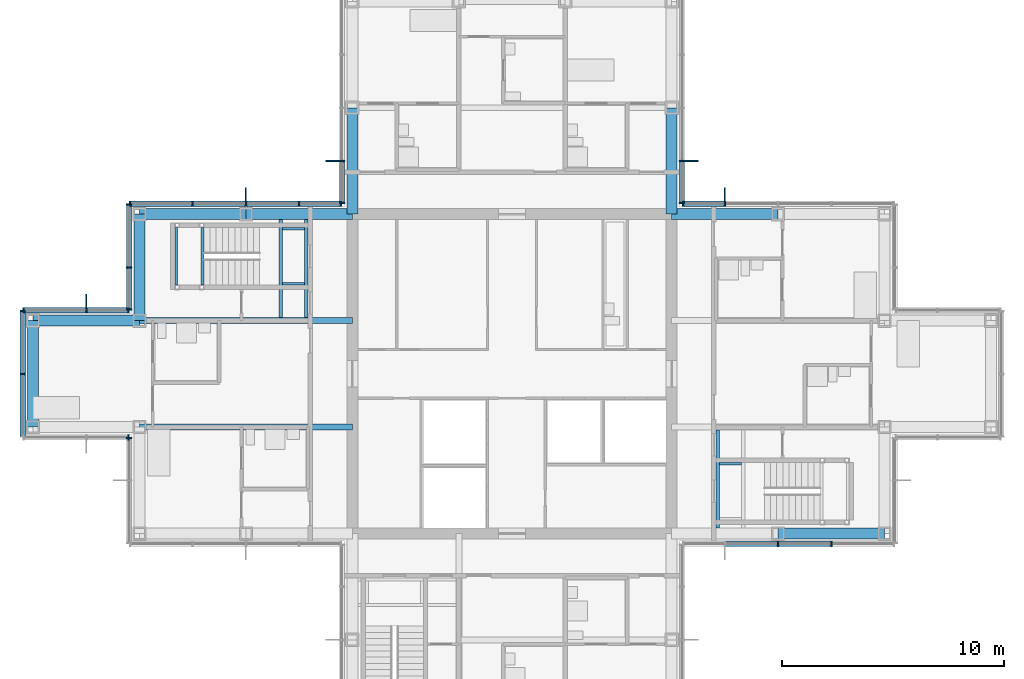
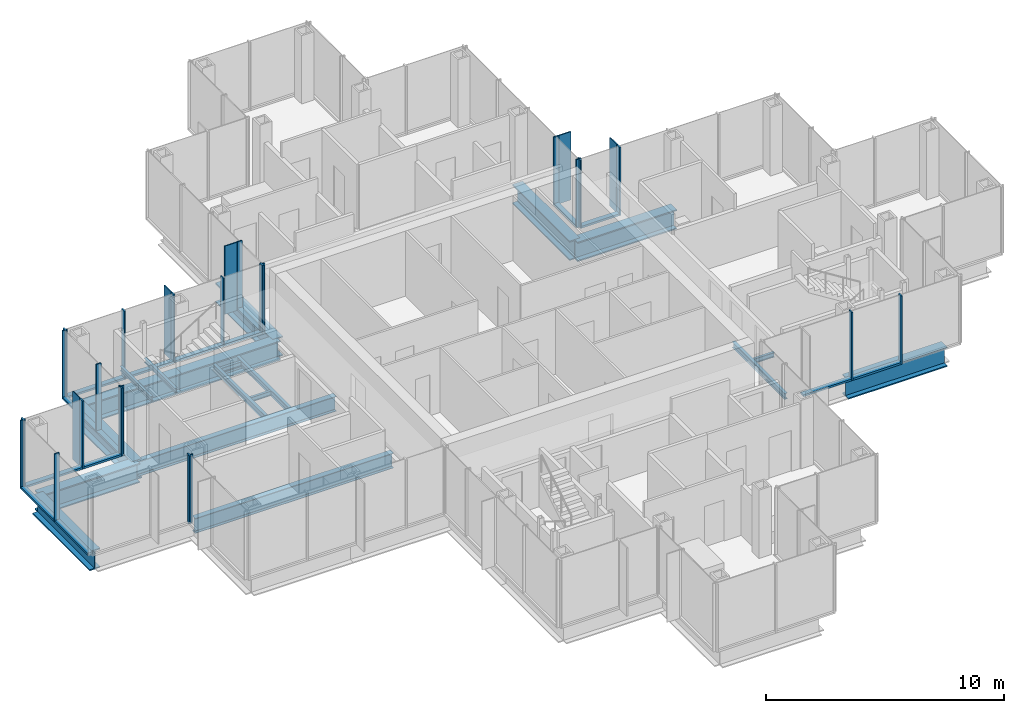
# One storey, part 7 of 17: 43 members, 19 beams, 10 elements without a shape of their own.
"""IFC4 building model written with IfcOpenShell, lengths in metres."""

from ifc_helpers import new_model, si_unit, direction, frame, origin, origin_2d, place, context, subcontext, project, spatial, rectangle, i_section, extrude, material, material_profile, profile_set, type_object, element, aggregate, save


model = new_model("IFC4")

# Units and contexts
model_context = context("Model", 3, precision=1e-05, world=origin(), true_north=direction((0.0, 1.0)))
body_context = subcontext(model_context, "Body", "Model", "MODEL_VIEW")
ifc_project = project(units=[si_unit("LENGTHUNIT", "METRE"), si_unit("AREAUNIT", "SQUARE_METRE"), si_unit("VOLUMEUNIT", "CUBIC_METRE"), si_unit("PLANEANGLEUNIT", "RADIAN"), si_unit("MASSUNIT", "GRAM", prefix="KILO")], contexts=[model_context])

# Site, building, storey
site_placement = place(None, origin())
site = spatial("IfcSite", under=ifc_project, at=site_placement, CompositionType="ELEMENT")
building_placement = place(site_placement, origin())
building = spatial("IfcBuilding", under=site, at=building_placement, Name="Kvirike Care Tower", CompositionType="ELEMENT")
storey_placement = place(building_placement, frame((0.0, 0.0, 183.0)))
storey = spatial("IfcBuildingStorey", under=building, at=storey_placement, Name="L50", CompositionType="ELEMENT", Elevation=183.0)

# Curtain wall, member
ifc_material_1 = material(Name="Anodised aluminium stick system", Category="aluminium")
curtain_wall_type = type_object("IfcCurtainWallType", Name="CW-C STICK CURTAIN WALL", PredefinedType="NOTDEFINED", material=ifc_material_1)
curtain_wall_1_placement = place(storey_placement, origin())
curtain_wall_1 = element("IfcCurtainWall", 1, at=curtain_wall_1_placement, inside=storey, type_object=curtain_wall_type, Name="Curtain wall L50 face 7", PredefinedType="NOTDEFINED")
ifc_material_2 = material(Name="Bronze anodised aluminium fin", Category="aluminium")
ifc_material_profile_1 = material_profile(ifc_material_2, rectangle(XDim=0.050048828125, YDim=0.60009765625, at=origin_2d()), Name="BRONZE FIN 600")
ifc_profile_set_1 = profile_set([ifc_material_profile_1], Name="Bronze anodised aluminium fin")
member_type_1 = type_object("IfcMemberType", Name="BRONZE FIN 600", PredefinedType="USERDEFINED", material=ifc_profile_set_1)
member_1_placement = place(storey_placement, frame((31.199951171875, 44.090087890625, 0.0), z_axis=(0.0, 0.0, 1.0), x_axis=(-1.0, 0.0, 0.0)))
member_1 = element("IfcMember", 2, at=member_1_placement, type_object=member_type_1, Name="Bronze fin L50 face 7.4", ObjectType="FIN", PredefinedType="USERDEFINED", context=body_context, shape_type="SweptSolid", body=[
    extrude(rectangle(XDim=0.050048828125, YDim=0.60009765625, at=origin_2d()), origin(), (0.0, 0.0, 1.0), 3.5),
])

curtain_wall_2_placement = place(storey_placement, origin())
curtain_wall_2 = element("IfcCurtainWall", 3, at=curtain_wall_2_placement, inside=storey, type_object=curtain_wall_type, Name="Curtain wall L50 face 8", PredefinedType="NOTDEFINED")
member_2_placement = place(storey_placement, frame((29.68994140625, 45.60009765625, 0.0), z_axis=(0.0, 0.0, 1.0), x_axis=(0.0, 1.0, 0.0)))
member_2 = element("IfcMember", 4, at=member_2_placement, type_object=member_type_1, Name="Bronze fin L50 face 8.2", ObjectType="FIN", PredefinedType="USERDEFINED", context=body_context, shape_type="SweptSolid", body=[
    extrude(rectangle(XDim=0.050048828125, YDim=0.60009765625, at=origin_2d()), origin(), (0.0, 0.0, 1.0), 3.5),
])

curtain_wall_3_placement = place(storey_placement, origin())
curtain_wall_3 = element("IfcCurtainWall", 5, at=curtain_wall_3_placement, inside=storey, type_object=curtain_wall_type, Name="Curtain wall L50 face 14", PredefinedType="NOTDEFINED")
member_3_placement = place(storey_placement, frame((13.510009765625, 45.60009765625, 0.0), z_axis=(0.0, 0.0, 1.0), x_axis=(0.0, -1.0, 0.0)))
member_3 = element("IfcMember", 6, at=member_3_placement, type_object=member_type_1, Name="Bronze fin L50 face 14.4", ObjectType="FIN", PredefinedType="USERDEFINED", context=body_context, shape_type="SweptSolid", body=[
    extrude(rectangle(XDim=0.050048828125, YDim=0.60009765625, at=origin_2d()), origin(), (0.0, 0.0, 1.0), 3.5),
])

curtain_wall_4_placement = place(storey_placement, origin())
curtain_wall_4 = element("IfcCurtainWall", 7, at=curtain_wall_4_placement, inside=storey, type_object=curtain_wall_type, Name="Curtain wall L50 face 15", PredefinedType="NOTDEFINED")
member_4_placement = place(storey_placement, frame((9.60009765625, 44.090087890625, 0.0), z_axis=(0.0, 0.0, 1.0), x_axis=(-1.0, 0.0, 0.0)))
member_4 = element("IfcMember", 8, at=member_4_placement, type_object=member_type_1, Name="Bronze fin L50 face 15.3", ObjectType="FIN", PredefinedType="USERDEFINED", context=body_context, shape_type="SweptSolid", body=[
    extrude(rectangle(XDim=0.050048828125, YDim=0.60009765625, at=origin_2d()), origin(), (0.0, 0.0, 1.0), 3.5),
])

curtain_wall_5_placement = place(storey_placement, origin())
curtain_wall_5 = element("IfcCurtainWall", 9, at=curtain_wall_5_placement, inside=storey, type_object=curtain_wall_type, Name="Curtain wall L50 face 17", PredefinedType="NOTDEFINED")
member_5_placement = place(storey_placement, frame((2.39990234375, 39.2900390625, 0.0), z_axis=(0.0, 0.0, 1.0), x_axis=(-1.0, 0.0, 0.0)))
member_5 = element("IfcMember", 10, at=member_5_placement, type_object=member_type_1, Name="Bronze fin L50 face 17.2", ObjectType="FIN", PredefinedType="USERDEFINED", context=body_context, shape_type="SweptSolid", body=[
    extrude(rectangle(XDim=0.050048828125, YDim=0.60009765625, at=origin_2d()), origin(), (0.0, 0.0, 1.0), 3.5),
])

# Curtain wall, members
curtain_wall_6_placement = place(storey_placement, origin())
curtain_wall_6 = element("IfcCurtainWall", 11, at=curtain_wall_6_placement, inside=storey, type_object=curtain_wall_type, Name="Curtain wall L50 face 1", PredefinedType="NOTDEFINED")
ifc_material_3 = material(Name="Bronze anodised aluminium mullion", Category="aluminium")
ifc_material_profile_2 = material_profile(ifc_material_3, rectangle(XDim=0.06494140625, YDim=0.239990234375, at=origin_2d()), Name="CW-C MULLION 65x240")
ifc_profile_set_2 = profile_set([ifc_material_profile_2], Name="Bronze anodised aluminium mullion")
member_type_2 = type_object("IfcMemberType", Name="CW-C MULLION 65x240", PredefinedType="MULLION", material=ifc_profile_set_2)
member_6_placement = place(storey_placement, frame((33.60009765625, 28.330078125, 0.0), z_axis=(0.0, 0.0, 1.0), x_axis=(1.0, 0.0, 0.0)))
member_6 = element("IfcMember", 12, at=member_6_placement, type_object=member_type_2, Name="CW-C mullion L50 face 1.3", PredefinedType="MULLION", context=body_context, shape_type="SweptSolid", body=[
    extrude(rectangle(XDim=0.06494140625, YDim=0.239990234375, at=origin_2d()), origin(), (0.0, 0.0, 1.0), 3.5),
])
member_7_placement = place(storey_placement, frame((36.0, 28.330078125, 0.0), z_axis=(0.0, 0.0, 1.0), x_axis=(1.0, 0.0, 0.0)))
member_7 = element("IfcMember", 13, at=member_7_placement, type_object=member_type_2, Name="CW-C mullion L50 face 1.4", PredefinedType="MULLION", context=body_context, shape_type="SweptSolid", body=[
    extrude(rectangle(XDim=0.06494140625, YDim=0.239990234375, at=origin_2d()), origin(), (0.0, 0.0, 1.0), 3.5),
])

# Member
member_8_placement = place(storey_placement, frame((31.199951171875, 43.669921875, 0.0), z_axis=(0.0, 0.0, 1.0), x_axis=(-1.0, 0.0, 0.0)))
member_8 = element("IfcMember", 14, at=member_8_placement, type_object=member_type_2, Name="CW-C mullion L50 face 7.4", PredefinedType="MULLION", context=body_context, shape_type="SweptSolid", body=[
    extrude(rectangle(XDim=0.06494140625, YDim=0.239990234375, at=origin_2d()), origin(), (0.0, 0.0, 1.0), 3.5),
])

member_9_placement = place(storey_placement, frame((29.302490234375, 43.669921875, 0.0), z_axis=(0.0, 0.0, 1.0), x_axis=(-1.0, 0.0, 0.0)))
member_9 = element("IfcMember", 15, at=member_9_placement, type_object=member_type_2, Name="CW-C mullion L50 face 7.5", PredefinedType="MULLION", context=body_context, shape_type="SweptSolid", body=[
    extrude(rectangle(XDim=0.06494140625, YDim=0.239990234375, at=origin_2d()), origin(), (0.0, 0.0, 1.0), 3.5),
])

member_10_placement = place(storey_placement, frame((29.27001953125, 43.702392578125, 0.0), z_axis=(0.0, 0.0, 1.0), x_axis=(0.0, 1.0, 0.0)))
member_10 = element("IfcMember", 16, at=member_10_placement, type_object=member_type_2, Name="CW-C mullion L50 face 8.1", PredefinedType="MULLION", context=body_context, shape_type="SweptSolid", body=[
    extrude(rectangle(XDim=0.06494140625, YDim=0.239990234375, at=origin_2d()), origin(), (0.0, 0.0, 1.0), 3.5),
])

member_11_placement = place(storey_placement, frame((29.27001953125, 45.60009765625, 0.0), z_axis=(0.0, 0.0, 1.0), x_axis=(0.0, 1.0, 0.0)))
member_11 = element("IfcMember", 17, at=member_11_placement, type_object=member_type_2, Name="CW-C mullion L50 face 8.2", PredefinedType="MULLION", context=body_context, shape_type="SweptSolid", body=[
    extrude(rectangle(XDim=0.06494140625, YDim=0.239990234375, at=origin_2d()), origin(), (0.0, 0.0, 1.0), 3.5),
])

member_12_placement = place(storey_placement, frame((13.929931640625, 45.60009765625, 0.0), z_axis=(0.0, 0.0, 1.0), x_axis=(0.0, -1.0, 0.0)))
member_12 = element("IfcMember", 18, at=member_12_placement, type_object=member_type_2, Name="CW-C mullion L50 face 14.4", PredefinedType="MULLION", context=body_context, shape_type="SweptSolid", body=[
    extrude(rectangle(XDim=0.06494140625, YDim=0.239990234375, at=origin_2d()), origin(), (0.0, 0.0, 1.0), 3.5),
])

member_13_placement = place(storey_placement, frame((13.929931640625, 43.702392578125, 0.0), z_axis=(0.0, 0.0, 1.0), x_axis=(0.0, -1.0, 0.0)))
member_13 = element("IfcMember", 19, at=member_13_placement, type_object=member_type_2, Name="CW-C mullion L50 face 14.5", PredefinedType="MULLION", context=body_context, shape_type="SweptSolid", body=[
    extrude(rectangle(XDim=0.06494140625, YDim=0.239990234375, at=origin_2d()), origin(), (0.0, 0.0, 1.0), 3.5),
])

member_14_placement = place(storey_placement, frame((13.8974609375, 43.669921875, 0.0), z_axis=(0.0, 0.0, 1.0), x_axis=(-1.0, 0.0, 0.0)))
member_14 = element("IfcMember", 20, at=member_14_placement, type_object=member_type_2, Name="CW-C mullion L50 face 15.1", PredefinedType="MULLION", context=body_context, shape_type="SweptSolid", body=[
    extrude(rectangle(XDim=0.06494140625, YDim=0.239990234375, at=origin_2d()), origin(), (0.0, 0.0, 1.0), 3.5),
])

member_15_placement = place(storey_placement, frame((12.0, 43.669921875, 0.0), z_axis=(0.0, 0.0, 1.0), x_axis=(-1.0, 0.0, 0.0)))
member_15 = element("IfcMember", 21, at=member_15_placement, type_object=member_type_2, Name="CW-C mullion L50 face 15.2", PredefinedType="MULLION", context=body_context, shape_type="SweptSolid", body=[
    extrude(rectangle(XDim=0.06494140625, YDim=0.239990234375, at=origin_2d()), origin(), (0.0, 0.0, 1.0), 3.5),
])

member_16_placement = place(storey_placement, frame((9.60009765625, 43.669921875, 0.0), z_axis=(0.0, 0.0, 1.0), x_axis=(-1.0, 0.0, 0.0)))
member_16 = element("IfcMember", 22, at=member_16_placement, type_object=member_type_2, Name="CW-C mullion L50 face 15.3", PredefinedType="MULLION", context=body_context, shape_type="SweptSolid", body=[
    extrude(rectangle(XDim=0.06494140625, YDim=0.239990234375, at=origin_2d()), origin(), (0.0, 0.0, 1.0), 3.5),
])

member_17_placement = place(storey_placement, frame((7.199951171875, 43.669921875, 0.0), z_axis=(0.0, 0.0, 1.0), x_axis=(-1.0, 0.0, 0.0)))
member_17 = element("IfcMember", 23, at=member_17_placement, type_object=member_type_2, Name="CW-C mullion L50 face 15.4", PredefinedType="MULLION", context=body_context, shape_type="SweptSolid", body=[
    extrude(rectangle(XDim=0.06494140625, YDim=0.239990234375, at=origin_2d()), origin(), (0.0, 0.0, 1.0), 3.5),
])

member_18_placement = place(storey_placement, frame((4.362548828125, 43.669921875, 0.0), z_axis=(0.0, 0.0, 1.0), x_axis=(-1.0, 0.0, 0.0)))
member_18 = element("IfcMember", 24, at=member_18_placement, type_object=member_type_2, Name="CW-C mullion L50 face 15.5", PredefinedType="MULLION", context=body_context, shape_type="SweptSolid", body=[
    extrude(rectangle(XDim=0.06494140625, YDim=0.239990234375, at=origin_2d()), origin(), (0.0, 0.0, 1.0), 3.5),
])

# Curtain wall, members
curtain_wall_7_placement = place(storey_placement, origin())
curtain_wall_7 = element("IfcCurtainWall", 25, at=curtain_wall_7_placement, inside=storey, type_object=curtain_wall_type, Name="Curtain wall L50 face 16", PredefinedType="NOTDEFINED")
member_19_placement = place(storey_placement, frame((4.330078125, 43.637451171875, 0.0), z_axis=(0.0, 0.0, 1.0), x_axis=(0.0, -1.0, 0.0)))
member_19 = element("IfcMember", 26, at=member_19_placement, type_object=member_type_2, Name="CW-C mullion L50 face 16.1", PredefinedType="MULLION", context=body_context, shape_type="SweptSolid", body=[
    extrude(rectangle(XDim=0.06494140625, YDim=0.239990234375, at=origin_2d()), origin(), (0.0, 0.0, 1.0), 3.5),
])
member_20_placement = place(storey_placement, frame((4.330078125, 40.800048828125, 0.0), z_axis=(0.0, 0.0, 1.0), x_axis=(0.0, -1.0, 0.0)))
member_20 = element("IfcMember", 27, at=member_20_placement, type_object=member_type_2, Name="CW-C mullion L50 face 16.2", PredefinedType="MULLION", context=body_context, shape_type="SweptSolid", body=[
    extrude(rectangle(XDim=0.06494140625, YDim=0.239990234375, at=origin_2d()), origin(), (0.0, 0.0, 1.0), 3.5),
])
member_21_placement = place(storey_placement, frame((4.330078125, 38.902587890625, 0.0), z_axis=(0.0, 0.0, 1.0), x_axis=(0.0, -1.0, 0.0)))
member_21 = element("IfcMember", 28, at=member_21_placement, type_object=member_type_2, Name="CW-C mullion L50 face 16.3", PredefinedType="MULLION", context=body_context, shape_type="SweptSolid", body=[
    extrude(rectangle(XDim=0.06494140625, YDim=0.239990234375, at=origin_2d()), origin(), (0.0, 0.0, 1.0), 3.5),
])

# Member
member_22_placement = place(storey_placement, frame((4.297607421875, 38.8701171875, 0.0), z_axis=(0.0, 0.0, 1.0), x_axis=(-1.0, 0.0, 0.0)))
member_22 = element("IfcMember", 29, at=member_22_placement, type_object=member_type_2, Name="CW-C mullion L50 face 17.1", PredefinedType="MULLION", context=body_context, shape_type="SweptSolid", body=[
    extrude(rectangle(XDim=0.06494140625, YDim=0.239990234375, at=origin_2d()), origin(), (0.0, 0.0, 1.0), 3.5),
])

member_23_placement = place(storey_placement, frame((2.39990234375, 38.8701171875, 0.0), z_axis=(0.0, 0.0, 1.0), x_axis=(-1.0, 0.0, 0.0)))
member_23 = element("IfcMember", 30, at=member_23_placement, type_object=member_type_2, Name="CW-C mullion L50 face 17.2", PredefinedType="MULLION", context=body_context, shape_type="SweptSolid", body=[
    extrude(rectangle(XDim=0.06494140625, YDim=0.239990234375, at=origin_2d()), origin(), (0.0, 0.0, 1.0), 3.5),
])

member_24_placement = place(storey_placement, frame((-0.4375, 38.8701171875, 0.0), z_axis=(0.0, 0.0, 1.0), x_axis=(-1.0, 0.0, 0.0)))
member_24 = element("IfcMember", 31, at=member_24_placement, type_object=member_type_2, Name="CW-C mullion L50 face 17.3", PredefinedType="MULLION", context=body_context, shape_type="SweptSolid", body=[
    extrude(rectangle(XDim=0.06494140625, YDim=0.239990234375, at=origin_2d()), origin(), (0.0, 0.0, 1.0), 3.5),
])

# Curtain wall, members
curtain_wall_8_placement = place(storey_placement, origin())
curtain_wall_8 = element("IfcCurtainWall", 32, at=curtain_wall_8_placement, inside=storey, type_object=curtain_wall_type, Name="Curtain wall L50 face 18", PredefinedType="NOTDEFINED")
member_25_placement = place(storey_placement, frame((-0.469970703125, 38.83740234375, 0.0), z_axis=(0.0, 0.0, 1.0), x_axis=(0.0, -1.0, 0.0)))
member_25 = element("IfcMember", 33, at=member_25_placement, type_object=member_type_2, Name="CW-C mullion L50 face 18.1", PredefinedType="MULLION", context=body_context, shape_type="SweptSolid", body=[
    extrude(rectangle(XDim=0.06494140625, YDim=0.239990234375, at=origin_2d()), origin(), (0.0, 0.0, 1.0), 3.5),
])
member_26_placement = place(storey_placement, frame((-0.469970703125, 36.0, 0.0), z_axis=(0.0, 0.0, 1.0), x_axis=(0.0, -1.0, 0.0)))
member_26 = element("IfcMember", 34, at=member_26_placement, type_object=member_type_2, Name="CW-C mullion L50 face 18.2", PredefinedType="MULLION", context=body_context, shape_type="SweptSolid", body=[
    extrude(rectangle(XDim=0.06494140625, YDim=0.239990234375, at=origin_2d()), origin(), (0.0, 0.0, 1.0), 3.5),
])

# Curtain wall, member
curtain_wall_9_placement = place(storey_placement, origin())
curtain_wall_9 = element("IfcCurtainWall", 35, at=curtain_wall_9_placement, inside=storey, type_object=curtain_wall_type, Name="Curtain wall L50 face 19", PredefinedType="NOTDEFINED")
member_27_placement = place(storey_placement, frame((4.297607421875, 33.1298828125, 0.0), z_axis=(0.0, 0.0, 1.0), x_axis=(1.0, 0.0, 0.0)))
member_27 = element("IfcMember", 36, at=member_27_placement, type_object=member_type_2, Name="CW-C mullion L50 face 19.3", PredefinedType="MULLION", context=body_context, shape_type="SweptSolid", body=[
    extrude(rectangle(XDim=0.06494140625, YDim=0.239990234375, at=origin_2d()), origin(), (0.0, 0.0, 1.0), 3.5),
])
aggregate(curtain_wall_9, [member_27])

curtain_wall_10_placement = place(storey_placement, origin())
curtain_wall_10 = element("IfcCurtainWall", 37, at=curtain_wall_10_placement, inside=storey, type_object=curtain_wall_type, Name="Curtain wall L50 face 20", PredefinedType="NOTDEFINED")
member_28_placement = place(storey_placement, frame((4.330078125, 33.097412109375, 0.0), z_axis=(0.0, 0.0, 1.0), x_axis=(0.0, -1.0, 0.0)))
member_28 = element("IfcMember", 38, at=member_28_placement, type_object=member_type_2, Name="CW-C mullion L50 face 20.1", PredefinedType="MULLION", context=body_context, shape_type="SweptSolid", body=[
    extrude(rectangle(XDim=0.06494140625, YDim=0.239990234375, at=origin_2d()), origin(), (0.0, 0.0, 1.0), 3.5),
])
aggregate(curtain_wall_10, [member_28])

# Member
ifc_material_4 = material(Name="Bronze anodised aluminium transom", Category="aluminium")
ifc_material_profile_3 = material_profile(ifc_material_4, rectangle(XDim=0.239990234375, YDim=0.10009765625, at=origin_2d()), Name="CW-C TRANSOM 240x100")
ifc_profile_set_3 = profile_set([ifc_material_profile_3], Name="Bronze anodised aluminium transom")
member_type_3 = type_object("IfcMemberType", Name="CW-C TRANSOM 240x100", PredefinedType="USERDEFINED", material=ifc_profile_set_3)
member_29_placement = place(storey_placement, frame((31.232421875, 28.330078125, 0.050048828125), z_axis=(1.0, 0.0, 0.0), x_axis=(0.0, 1.0, 0.0)))
member_29 = element("IfcMember", 39, at=member_29_placement, type_object=member_type_3, Name="CW-C sill transom L50 face 1.2", ObjectType="TRANSOM", PredefinedType="USERDEFINED", context=body_context, shape_type="SweptSolid", body=[
    extrude(rectangle(XDim=0.239990234375, YDim=0.10009765625, at=origin_2d()), origin(), (0.0, 0.0, 1.0), 2.3349609375),
])

member_30_placement = place(storey_placement, frame((33.632568359375, 28.330078125, 0.050048828125), z_axis=(1.0, 0.0, 0.0), x_axis=(0.0, 1.0, 0.0)))
member_30 = element("IfcMember", 40, at=member_30_placement, type_object=member_type_3, Name="CW-C sill transom L50 face 1.3", ObjectType="TRANSOM", PredefinedType="USERDEFINED", context=body_context, shape_type="SweptSolid", body=[
    extrude(rectangle(XDim=0.239990234375, YDim=0.10009765625, at=origin_2d()), origin(), (0.0, 0.0, 1.0), 2.3349609375),
])

aggregate(curtain_wall_6, [member_6, member_7, member_29, member_30])

member_31_placement = place(storey_placement, frame((31.16748046875, 43.669921875, 0.050048828125), z_axis=(-1.0, 0.0, 0.0), x_axis=(0.0, -1.0, 0.0)))
member_31 = element("IfcMember", 41, at=member_31_placement, type_object=member_type_3, Name="CW-C sill transom L50 face 7.4", ObjectType="TRANSOM", PredefinedType="USERDEFINED", context=body_context, shape_type="SweptSolid", body=[
    extrude(rectangle(XDim=0.239990234375, YDim=0.10009765625, at=origin_2d()), origin(), (0.0, 0.0, 1.0), 1.83251953125),
])

aggregate(curtain_wall_1, [member_8, member_1, member_9, member_31])

member_32_placement = place(storey_placement, frame((29.27001953125, 43.735107421875, 0.050048828125), z_axis=(0.0, 1.0, 0.0), x_axis=(-1.0, 0.0, 0.0)))
member_32 = element("IfcMember", 42, at=member_32_placement, type_object=member_type_3, Name="CW-C sill transom L50 face 8.1", ObjectType="TRANSOM", PredefinedType="USERDEFINED", context=body_context, shape_type="SweptSolid", body=[
    extrude(rectangle(XDim=0.239990234375, YDim=0.10009765625, at=origin_2d()), origin(), (0.0, 0.0, 1.0), 1.832275390625),
])

aggregate(curtain_wall_2, [member_10, member_11, member_2, member_32])

member_33_placement = place(storey_placement, frame((13.929931640625, 45.5673828125, 0.050048828125), z_axis=(0.0, -1.0, 0.0), x_axis=(1.0, 0.0, 0.0)))
member_33 = element("IfcMember", 43, at=member_33_placement, type_object=member_type_3, Name="CW-C sill transom L50 face 14.4", ObjectType="TRANSOM", PredefinedType="USERDEFINED", context=body_context, shape_type="SweptSolid", body=[
    extrude(rectangle(XDim=0.239990234375, YDim=0.10009765625, at=origin_2d()), origin(), (0.0, 0.0, 1.0), 1.832275390625),
])

aggregate(curtain_wall_3, [member_12, member_3, member_13, member_33])

member_34_placement = place(storey_placement, frame((13.864990234375, 43.669921875, 0.050048828125), z_axis=(-1.0, 0.0, 0.0), x_axis=(0.0, -1.0, 0.0)))
member_34 = element("IfcMember", 44, at=member_34_placement, type_object=member_type_3, Name="CW-C sill transom L50 face 15.1", ObjectType="TRANSOM", PredefinedType="USERDEFINED", context=body_context, shape_type="SweptSolid", body=[
    extrude(rectangle(XDim=0.239990234375, YDim=0.10009765625, at=origin_2d()), origin(), (0.0, 0.0, 1.0), 1.83251953125),
])

member_35_placement = place(storey_placement, frame((11.967529296875, 43.669921875, 0.050048828125), z_axis=(-1.0, 0.0, 0.0), x_axis=(0.0, -1.0, 0.0)))
member_35 = element("IfcMember", 45, at=member_35_placement, type_object=member_type_3, Name="CW-C sill transom L50 face 15.2", ObjectType="TRANSOM", PredefinedType="USERDEFINED", context=body_context, shape_type="SweptSolid", body=[
    extrude(rectangle(XDim=0.239990234375, YDim=0.10009765625, at=origin_2d()), origin(), (0.0, 0.0, 1.0), 2.3349609375),
])

member_36_placement = place(storey_placement, frame((9.5673828125, 43.669921875, 0.050048828125), z_axis=(-1.0, 0.0, 0.0), x_axis=(0.0, -1.0, 0.0)))
member_36 = element("IfcMember", 46, at=member_36_placement, type_object=member_type_3, Name="CW-C sill transom L50 face 15.3", ObjectType="TRANSOM", PredefinedType="USERDEFINED", context=body_context, shape_type="SweptSolid", body=[
    extrude(rectangle(XDim=0.239990234375, YDim=0.10009765625, at=origin_2d()), origin(), (0.0, 0.0, 1.0), 2.3349609375),
])

member_37_placement = place(storey_placement, frame((7.16748046875, 43.669921875, 0.050048828125), z_axis=(-1.0, 0.0, 0.0), x_axis=(0.0, -1.0, 0.0)))
member_37 = element("IfcMember", 47, at=member_37_placement, type_object=member_type_3, Name="CW-C sill transom L50 face 15.4", ObjectType="TRANSOM", PredefinedType="USERDEFINED", context=body_context, shape_type="SweptSolid", body=[
    extrude(rectangle(XDim=0.239990234375, YDim=0.10009765625, at=origin_2d()), origin(), (0.0, 0.0, 1.0), 2.7724609375),
])

aggregate(curtain_wall_4, [member_14, member_15, member_16, member_4, member_17, member_18, member_34, member_35, member_36, member_37])

member_38_placement = place(storey_placement, frame((4.330078125, 43.60498046875, 0.050048828125), z_axis=(0.0, -1.0, 0.0), x_axis=(1.0, 0.0, 0.0)))
member_38 = element("IfcMember", 48, at=member_38_placement, type_object=member_type_3, Name="CW-C sill transom L50 face 16.1", ObjectType="TRANSOM", PredefinedType="USERDEFINED", context=body_context, shape_type="SweptSolid", body=[
    extrude(rectangle(XDim=0.239990234375, YDim=0.10009765625, at=origin_2d()), origin(), (0.0, 0.0, 1.0), 2.7724609375),
])

member_39_placement = place(storey_placement, frame((4.330078125, 40.767578125, 0.050048828125), z_axis=(0.0, -1.0, 0.0), x_axis=(1.0, 0.0, 0.0)))
member_39 = element("IfcMember", 49, at=member_39_placement, type_object=member_type_3, Name="CW-C sill transom L50 face 16.2", ObjectType="TRANSOM", PredefinedType="USERDEFINED", context=body_context, shape_type="SweptSolid", body=[
    extrude(rectangle(XDim=0.239990234375, YDim=0.10009765625, at=origin_2d()), origin(), (0.0, 0.0, 1.0), 1.83251953125),
])

aggregate(curtain_wall_7, [member_19, member_20, member_21, member_38, member_39])

member_40_placement = place(storey_placement, frame((4.264892578125, 38.8701171875, 0.050048828125), z_axis=(-1.0, 0.0, 0.0), x_axis=(0.0, -1.0, 0.0)))
member_40 = element("IfcMember", 50, at=member_40_placement, type_object=member_type_3, Name="CW-C sill transom L50 face 17.1", ObjectType="TRANSOM", PredefinedType="USERDEFINED", context=body_context, shape_type="SweptSolid", body=[
    extrude(rectangle(XDim=0.239990234375, YDim=0.10009765625, at=origin_2d()), origin(), (0.0, 0.0, 1.0), 1.832275390625),
])

member_41_placement = place(storey_placement, frame((2.367431640625, 38.8701171875, 0.050048828125), z_axis=(-1.0, 0.0, 0.0), x_axis=(0.0, -1.0, 0.0)))
member_41 = element("IfcMember", 51, at=member_41_placement, type_object=member_type_3, Name="CW-C sill transom L50 face 17.2", ObjectType="TRANSOM", PredefinedType="USERDEFINED", context=body_context, shape_type="SweptSolid", body=[
    extrude(rectangle(XDim=0.239990234375, YDim=0.10009765625, at=origin_2d()), origin(), (0.0, 0.0, 1.0), 2.7724609375),
])

aggregate(curtain_wall_5, [member_22, member_23, member_5, member_24, member_40, member_41])

member_42_placement = place(storey_placement, frame((-0.469970703125, 38.804931640625, 0.050048828125), z_axis=(0.0, -1.0, 0.0), x_axis=(1.0, 0.0, 0.0)))
member_42 = element("IfcMember", 52, at=member_42_placement, type_object=member_type_3, Name="CW-C sill transom L50 face 18.1", ObjectType="TRANSOM", PredefinedType="USERDEFINED", context=body_context, shape_type="SweptSolid", body=[
    extrude(rectangle(XDim=0.239990234375, YDim=0.10009765625, at=origin_2d()), origin(), (0.0, 0.0, 1.0), 2.7724609375),
])

member_43_placement = place(storey_placement, frame((-0.469970703125, 35.967529296875, 0.050048828125), z_axis=(0.0, -1.0, 0.0), x_axis=(1.0, 0.0, 0.0)))
member_43 = element("IfcMember", 53, at=member_43_placement, type_object=member_type_3, Name="CW-C sill transom L50 face 18.2", ObjectType="TRANSOM", PredefinedType="USERDEFINED", context=body_context, shape_type="SweptSolid", body=[
    extrude(rectangle(XDim=0.239990234375, YDim=0.10009765625, at=origin_2d()), origin(), (0.0, 0.0, 1.0), 2.7724609375),
])

aggregate(curtain_wall_8, [member_25, member_26, member_42, member_43])

# Beams
ifc_material_5 = material(Name="Steel S355", Category="steel")
ifc_material_profile_4 = material_profile(ifc_material_5, i_section(OverallWidth=0.26806640625, OverallDepth=0.77001953125, WebThickness=0.015625, FlangeThickness=0.025390625, FilletRadius=0.01708984375, at=origin_2d()), Name="IPE 750x196")
ifc_profile_set_4 = profile_set([ifc_material_profile_4], Name="Steel S355")
beam_type_1 = type_object("IfcBeamType", Name="FLOOR BEAM IPE 750x196", PredefinedType="BEAM", material=ifc_profile_set_4)
for number, where, z_axis, x_axis, name in (
    (54, (4.800048828125, 33.60009765625, -0.554931640625), (1.0, 0.0, 0.0), (0.0, 1.0, 0.0), "Floor Beam H4-H6 L50"),
    (55, (4.800048828125, 38.39990234375, -0.554931640625), (1.0, 0.0, 0.0), (0.0, 1.0, 0.0), "Floor Beam J4-J6 L50"),
):
    element("IfcBeam", number, at=place(storey_placement, frame(where, z_axis=z_axis, x_axis=x_axis)), inside=storey, type_object=beam_type_1, Name=name, PredefinedType="BEAM", context=body_context, shape_type="SweptSolid", body=[
        extrude(i_section(OverallWidth=0.26806640625, OverallDepth=0.77001953125, WebThickness=0.015625, FlangeThickness=0.025390625, FilletRadius=0.01708984375, at=origin_2d()), origin(), (0.0, 0.0, 1.0), 9.599853515625),
    ])
ifc_material_6 = material(Name="Steel S355", Category="steel")
ifc_material_profile_5 = material_profile(ifc_material_6, i_section(OverallWidth=0.5, OverallDepth=1.0, WebThickness=0.030029296875, FlangeThickness=0.06005859375, at=origin_2d()), Name="PG 1000x500x30x60")
ifc_profile_set_5 = profile_set([ifc_material_profile_5], Name="Steel S355")
beam_type_2 = type_object("IfcBeamType", Name="SPANDREL PG 1000x500x30x60", PredefinedType="SPANDREL", material=ifc_profile_set_5)
beam_1_placement = place(storey_placement, frame((33.60009765625, 28.800048828125, -0.669921875), z_axis=(1.0, 0.0, 0.0), x_axis=(0.0, 1.0, 0.0)))
element("IfcBeam", 56, at=beam_1_placement, inside=storey, type_object=beam_type_2, Name="Spandrel G10-G11 L50", PredefinedType="SPANDREL", context=body_context, shape_type="SweptSolid", body=[
    extrude(i_section(OverallWidth=0.5, OverallDepth=1.0, WebThickness=0.030029296875, FlangeThickness=0.06005859375, at=origin_2d()), origin(), (0.0, 0.0, 1.0), 4.7998046875),
])
for number, where, z_axis, x_axis, name in (
    (57, (0.0, 38.39990234375, -0.669921875), (1.0, 0.0, 0.0), (0.0, 1.0, 0.0), "Spandrel J3-J4 L50"),
    (58, (4.800048828125, 43.199951171875, -0.669921875), (1.0, 0.0, 0.0), (0.0, 1.0, 0.0), "Spandrel K4-K5 L50"),
):
    element("IfcBeam", number, at=place(storey_placement, frame(where, z_axis=z_axis, x_axis=x_axis)), inside=storey, type_object=beam_type_2, Name=name, PredefinedType="SPANDREL", context=body_context, shape_type="SweptSolid", body=[
        extrude(i_section(OverallWidth=0.5, OverallDepth=1.0, WebThickness=0.030029296875, FlangeThickness=0.06005859375, at=origin_2d()), origin(), (0.0, 0.0, 1.0), 4.800048828125),
    ])
beam_2_placement = place(storey_placement, frame((9.60009765625, 43.199951171875, -0.669921875), z_axis=(1.0, 0.0, 0.0), x_axis=(0.0, 1.0, 0.0)))
element("IfcBeam", 59, at=beam_2_placement, inside=storey, type_object=beam_type_2, Name="Spandrel K5-K6 L50", PredefinedType="SPANDREL", context=body_context, shape_type="SweptSolid", body=[
    extrude(i_section(OverallWidth=0.5, OverallDepth=1.0, WebThickness=0.030029296875, FlangeThickness=0.06005859375, at=origin_2d()), origin(), (0.0, 0.0, 1.0), 4.7998046875),
])
beam_3_placement = place(storey_placement, frame((28.800048828125, 43.199951171875, -0.669921875), z_axis=(1.0, 0.0, 0.0), x_axis=(0.0, 1.0, 0.0)))
element("IfcBeam", 60, at=beam_3_placement, inside=storey, type_object=beam_type_2, Name="Spandrel K9-K10 L50", PredefinedType="SPANDREL", context=body_context, shape_type="SweptSolid", body=[
    extrude(i_section(OverallWidth=0.5, OverallDepth=1.0, WebThickness=0.030029296875, FlangeThickness=0.06005859375, at=origin_2d()), origin(), (0.0, 0.0, 1.0), 4.800048828125),
])
beam_4_placement = place(storey_placement, frame((0.0, 33.60009765625, -0.669921875), z_axis=(0.0, 1.0, 0.0), x_axis=(-1.0, 0.0, 0.0)))
element("IfcBeam", 61, at=beam_4_placement, inside=storey, type_object=beam_type_2, Name="Spandrel H3-J3 L50", PredefinedType="SPANDREL", context=body_context, shape_type="SweptSolid", body=[
    extrude(i_section(OverallWidth=0.5, OverallDepth=1.0, WebThickness=0.030029296875, FlangeThickness=0.06005859375, at=origin_2d()), origin(), (0.0, 0.0, 1.0), 4.7998046875),
])
for number, where, z_axis, x_axis, name in (
    (62, (4.800048828125, 38.39990234375, -0.669921875), (0.0, 1.0, 0.0), (-1.0, 0.0, 0.0), "Spandrel J4-K4 L50"),
    (63, (14.39990234375, 43.199951171875, -0.669921875), (0.0, 1.0, 0.0), (-1.0, 0.0, 0.0), "Spandrel K6-L6 L50"),
    (64, (28.800048828125, 43.199951171875, -0.669921875), (0.0, 1.0, 0.0), (-1.0, 0.0, 0.0), "Spandrel K9-L9 L50"),
):
    element("IfcBeam", number, at=place(storey_placement, frame(where, z_axis=z_axis, x_axis=x_axis)), inside=storey, type_object=beam_type_2, Name=name, PredefinedType="SPANDREL", context=body_context, shape_type="SweptSolid", body=[
        extrude(i_section(OverallWidth=0.5, OverallDepth=1.0, WebThickness=0.030029296875, FlangeThickness=0.06005859375, at=origin_2d()), origin(), (0.0, 0.0, 1.0), 4.800048828125),
    ])
ifc_material_7 = material(Name="Steel S355", Category="steel")
ifc_material_profile_6 = material_profile(ifc_material_7, i_section(OverallWidth=0.1201171875, OverallDepth=0.239990234375, WebThickness=0.006103515625, FlangeThickness=0.009765625, FilletRadius=0.014892578125, at=origin_2d()), Name="IPE 240")
ifc_profile_set_6 = profile_set([ifc_material_profile_6], Name="Steel S355")
beam_type_3 = type_object("IfcBeamType", Name="STAIR LANDING BEAM IPE 240", PredefinedType="BEAM", material=ifc_profile_set_6)
for number, where, z_axis, x_axis, name in (
    (65, (6.4599609375, 42.60009765625, 1.429931640625), (0.0, -1.0, 0.0), (1.0, 0.0, 0.0), "Stair 1 landing beam back L50"),
    (66, (7.639892578125, 42.60009765625, 1.429931640625), (0.0, -1.0, 0.0), (1.0, 0.0, 0.0), "Stair 1 landing beam front L50"),
):
    element("IfcBeam", number, at=place(storey_placement, frame(where, z_axis=z_axis, x_axis=x_axis)), inside=storey, type_object=beam_type_3, Name=name, PredefinedType="BEAM", context=body_context, shape_type="SweptSolid", body=[
        extrude(i_section(OverallWidth=0.1201171875, OverallDepth=0.239990234375, WebThickness=0.006103515625, FlangeThickness=0.009765625, FilletRadius=0.014892578125, at=origin_2d()), origin(), (0.0, 0.0, 1.0), 2.60009765625),
    ])
for number, where, z_axis, x_axis, name in (
    (67, (11.25, 42.5400390625, -0.320068359375), (1.0, 0.0, 0.0), (0.0, 1.0, 0.0), "Stair 1 landing edge beam 1 L50"),
    (68, (11.25, 40.06005859375, -0.320068359375), (1.0, 0.0, 0.0), (0.0, 1.0, 0.0), "Stair 1 landing edge beam 2 L50"),
    (69, (31.949951171875, 31.93994140625, -0.320068359375), (-1.0, 0.0, 0.0), (0.0, -1.0, 0.0), "Stair 2 landing edge beam 2 L50"),
):
    element("IfcBeam", number, at=place(storey_placement, frame(where, z_axis=z_axis, x_axis=x_axis)), inside=storey, type_object=beam_type_3, Name=name, PredefinedType="BEAM", context=body_context, shape_type="SweptSolid", body=[
        extrude(i_section(OverallWidth=0.1201171875, OverallDepth=0.239990234375, WebThickness=0.006103515625, FlangeThickness=0.009765625, FilletRadius=0.014892578125, at=origin_2d()), origin(), (0.0, 0.0, 1.0), 1.0),
    ])
ifc_material_8 = material(Name="Steel S355", Category="steel")
ifc_material_profile_7 = material_profile(ifc_material_8, i_section(OverallWidth=0.14990234375, OverallDepth=0.300048828125, WebThickness=0.007080078125, FlangeThickness=0.0107421875, FilletRadius=0.014892578125, at=origin_2d()), Name="IPE 300")
ifc_profile_set_7 = profile_set([ifc_material_profile_7], Name="Steel S355")
beam_type_4 = type_object("IfcBeamType", Name="STAIR TRIMMER IPE 300", PredefinedType="BEAM", material=ifc_profile_set_7)
for number, where, z_axis, x_axis, name in (
    (70, (11.175048828125, 42.949951171875, -0.35009765625), (0.0, -1.0, 0.0), (1.0, 0.0, 0.0), "Stair 1 trimmer 1 L50"),
    (71, (12.324951171875, 42.949951171875, -0.35009765625), (0.0, -1.0, 0.0), (1.0, 0.0, 0.0), "Stair 1 trimmer 2 L50"),
    (72, (30.875, 29.050048828125, -0.35009765625), (0.0, 1.0, 0.0), (-1.0, 0.0, 0.0), "Stair 2 trimmer 2 L50"),
):
    element("IfcBeam", number, at=place(storey_placement, frame(where, z_axis=z_axis, x_axis=x_axis)), inside=storey, type_object=beam_type_4, Name=name, PredefinedType="BEAM", context=body_context, shape_type="SweptSolid", body=[
        extrude(i_section(OverallWidth=0.14990234375, OverallDepth=0.300048828125, WebThickness=0.007080078125, FlangeThickness=0.0107421875, FilletRadius=0.014892578125, at=origin_2d()), origin(), (0.0, 0.0, 1.0), 4.416015625),
    ])

save(model, "model.ifc")
